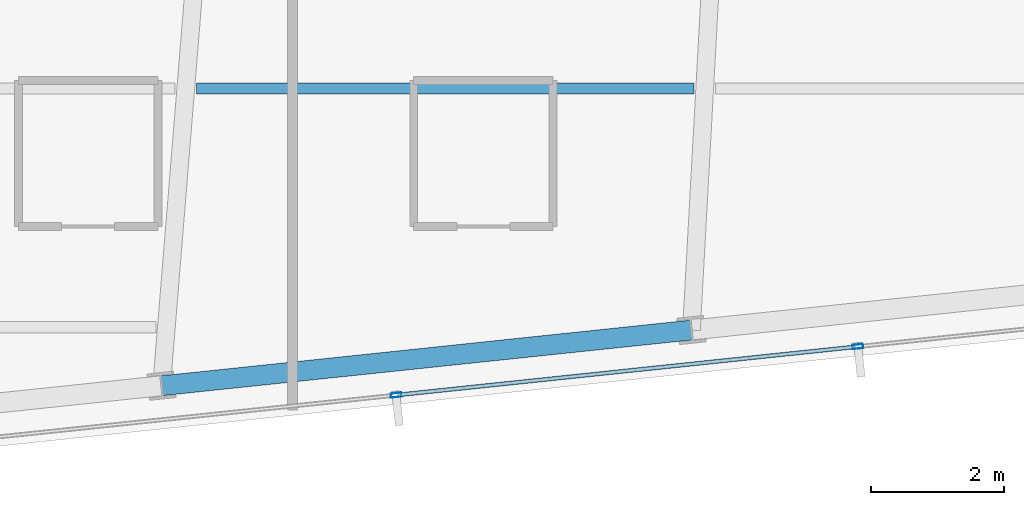
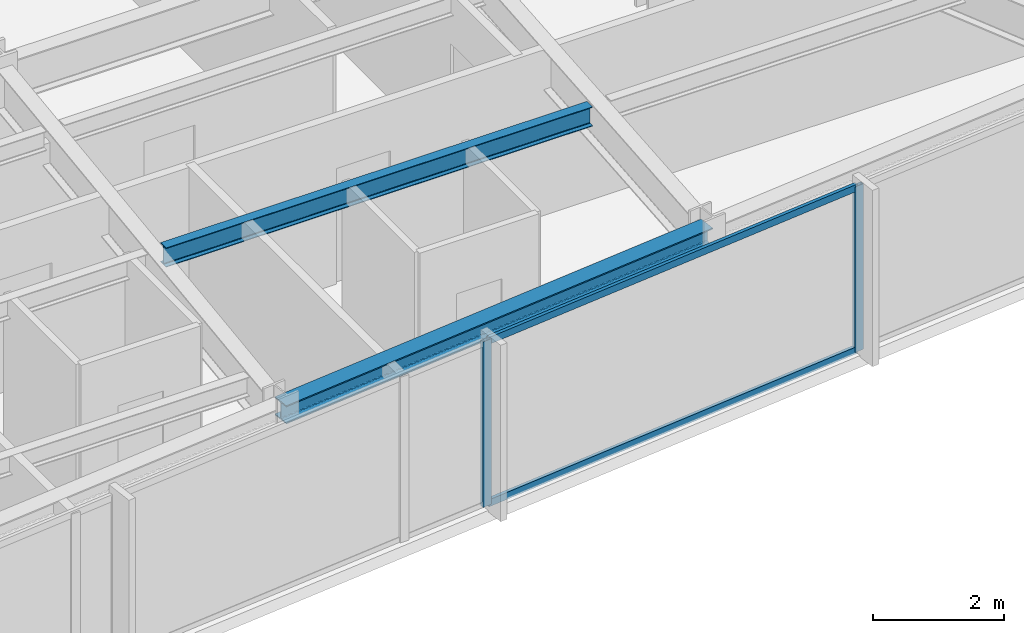
# One storey, part 14 of 33: 4 members, 2 beams, 1 element without a shape of its own.
"""IFC4 building model written with IfcOpenShell, lengths in metres."""

from ifc_helpers import new_model, si_unit, direction, frame, origin, origin_2d, place, context, subcontext, project, spatial, hollow_rectangle, i_section, extrude, material, material_profile, profile_set, type_object, element, aggregate, save


model = new_model("IFC4")

# Units and contexts
model_context = context("Model", 3, precision=1e-05, world=origin(), true_north=direction((0.0, 1.0)))
body_context = subcontext(model_context, "Body", "Model", "MODEL_VIEW")
ifc_project = project(units=[si_unit("LENGTHUNIT", "METRE"), si_unit("AREAUNIT", "SQUARE_METRE"), si_unit("VOLUMEUNIT", "CUBIC_METRE"), si_unit("PLANEANGLEUNIT", "RADIAN"), si_unit("MASSUNIT", "GRAM", prefix="KILO")], contexts=[model_context])

# Site, building, storey
site_placement = place(None, origin())
site = spatial("IfcSite", under=ifc_project, at=site_placement, CompositionType="ELEMENT")
building_placement = place(site_placement, origin())
building = spatial("IfcBuilding", under=site, at=building_placement, Name="Yelkora Congress Tower", CompositionType="ELEMENT")
storey_placement = place(building_placement, frame((0.0, 0.0, 230.89990234375)))
storey = spatial("IfcBuildingStorey", under=building, at=storey_placement, Name="L64", CompositionType="ELEMENT", Elevation=230.89990234375)

# Beams
ifc_material_1 = material(Name="Steel S355J2", Category="steel")
ifc_material_profile_1 = material_profile(ifc_material_1, i_section(OverallWidth=0.169921875, OverallDepth=0.360107421875, WebThickness=0.008056640625, FlangeThickness=0.0126953125, FilletRadius=0.01806640625, at=origin_2d()), Name="IPE 360")
ifc_profile_set_1 = profile_set([ifc_material_profile_1], Name="Steel S355J2")
beam_type_1 = type_object("IfcBeamType", Name="BM-JOIST-IPE360", PredefinedType="JOIST", material=ifc_profile_set_1)
beam_1_placement = place(storey_placement, frame((45.791259765625, 19.678466796875, 2.900146484375), z_axis=(1.0, 0.0, 0.0), x_axis=(0.0, 1.0, 0.0)))
element("IfcBeam", 1, at=beam_1_placement, inside=storey, type_object=beam_type_1, Name="L64 Composite Floor Joist 6", PredefinedType="JOIST", context=body_context, shape_type="SweptSolid", body=[
    extrude(i_section(OverallWidth=0.169921875, OverallDepth=0.360107421875, WebThickness=0.008056640625, FlangeThickness=0.0126953125, FilletRadius=0.01806640625, at=origin_2d()), origin(), (0.0, 0.0, 1.0), 7.505126953125),
])
ifc_material_profile_2 = material_profile(ifc_material_1, i_section(OverallWidth=0.300048828125, OverallDepth=0.340087890625, WebThickness=0.011962890625, FlangeThickness=0.021484375, FilletRadius=0.027099609375, at=origin_2d()), Name="HEB 340")
ifc_profile_set_2 = profile_set([ifc_material_profile_2], Name="Steel S355J2")
beam_type_2 = type_object("IfcBeamType", Name="BM-SPAN-HEB340", PredefinedType="SPANDREL", material=ifc_profile_set_2)
beam_2_placement = place(storey_placement, frame((45.26708984375, 15.197509765625, 2.91015625), z_axis=(0.994520097542, 0.104545567032, 0.0), x_axis=(-0.104545567032, 0.994520097542, 0.0)))
element("IfcBeam", 2, at=beam_2_placement, inside=storey, type_object=beam_type_2, Name="L64 Perimeter Beam 6", PredefinedType="SPANDREL", context=body_context, shape_type="SweptSolid", body=[
    extrude(i_section(OverallWidth=0.300048828125, OverallDepth=0.340087890625, WebThickness=0.011962890625, FlangeThickness=0.021484375, FilletRadius=0.027099609375, at=origin_2d()), origin(), (0.0, 0.0, 1.0), 8.033203125),
])

# Curtain wall, members
ifc_material_2 = material(Name="Anodised aluminium and insulated glass", Category="aluminium")
curtain_wall_type = type_object("IfcCurtainWallType", Name="CW-SYS-B4", PredefinedType="NOTDEFINED", material=ifc_material_2)
curtain_wall_placement = place(storey_placement, origin())
curtain_wall = element("IfcCurtainWall", 3, at=curtain_wall_placement, inside=storey, type_object=curtain_wall_type, Name="L64 Unitised Curtain Wall 20", PredefinedType="NOTDEFINED")
ifc_material_3 = material(Name="Anodised aluminium 6063-T6", Category="aluminium")
ifc_material_profile_3 = material_profile(ifc_material_3, hollow_rectangle(XDim=0.06494140625, YDim=0.159912109375, WallThickness=0.00390625, at=origin_2d()), Name="ALU 65x160x4")
ifc_profile_set_3 = profile_set([ifc_material_profile_3], Name="Anodised aluminium 6063-T6")
member_type_1 = type_object("IfcMemberType", Name="MEM-ML-B4", PredefinedType="MULLION", material=ifc_profile_set_3)
member_1_placement = place(storey_placement, frame((55.76708984375, 15.788330078125, 0.0), z_axis=(0.0, 0.0, 1.0), x_axis=(0.104526664994, -0.994522084373, 0.0)))
member_1 = element("IfcMember", 4, at=member_1_placement, type_object=member_type_1, Name="CW-B4 mullion 3", PredefinedType="MULLION", context=body_context, shape_type="SweptSolid", body=[
    extrude(hollow_rectangle(XDim=0.06494140625, YDim=0.159912109375, WallThickness=0.00390625, at=origin_2d()), origin(), (0.0, 0.0, 1.0), 3.080078125),
])
member_2_placement = place(storey_placement, frame((48.802490234375, 15.056396484375, 0.0), z_axis=(0.0, 0.0, 1.0), x_axis=(0.104526664994, -0.994522084373, 0.0)))
member_2 = element("IfcMember", 5, at=member_2_placement, type_object=member_type_1, Name="CW-B4 mullion 4", PredefinedType="MULLION", context=body_context, shape_type="SweptSolid", body=[
    extrude(hollow_rectangle(XDim=0.06494140625, YDim=0.159912109375, WallThickness=0.00390625, at=origin_2d()), origin(), (0.0, 0.0, 1.0), 3.080078125),
])
ifc_material_profile_4 = material_profile(ifc_material_3, hollow_rectangle(XDim=0.06005859375, YDim=0.1298828125, WallThickness=0.00390625, at=origin_2d()), Name="ALU 60x130x4")
ifc_profile_set_4 = profile_set([ifc_material_profile_4], Name="Anodised aluminium 6063-T6")
member_type_2 = type_object("IfcMemberType", Name="MEM-TR-B4", PredefinedType="USERDEFINED", material=ifc_profile_set_4)
member_3_placement = place(storey_placement, frame((55.73486328125, 15.784912109375, 0.030029296875), z_axis=(-0.99452356298, -0.104512595784, 0.0), x_axis=(0.104512595784, -0.99452356298, 0.0)))
member_3 = element("IfcMember", 6, at=member_3_placement, type_object=member_type_2, Name="CW-B4 transom 3.1", ObjectType="TRANSOM", PredefinedType="USERDEFINED", context=body_context, shape_type="SweptSolid", body=[
    extrude(hollow_rectangle(XDim=0.06005859375, YDim=0.1298828125, WallThickness=0.00390625, at=origin_2d()), origin(), (0.0, 0.0, 1.0), 6.93798828125),
])
member_4_placement = place(storey_placement, frame((55.73486328125, 15.784912109375, 3.050048828125), z_axis=(-0.99452356298, -0.104512595784, 0.0), x_axis=(0.104512595784, -0.99452356298, 0.0)))
member_4 = element("IfcMember", 7, at=member_4_placement, type_object=member_type_2, Name="CW-B4 transom 3.2", ObjectType="TRANSOM", PredefinedType="USERDEFINED", context=body_context, shape_type="SweptSolid", body=[
    extrude(hollow_rectangle(XDim=0.06005859375, YDim=0.1298828125, WallThickness=0.00390625, at=origin_2d()), origin(), (0.0, 0.0, 1.0), 6.93798828125),
])
aggregate(curtain_wall, [member_1, member_2, member_3, member_4])

save(model, "model.ifc")
